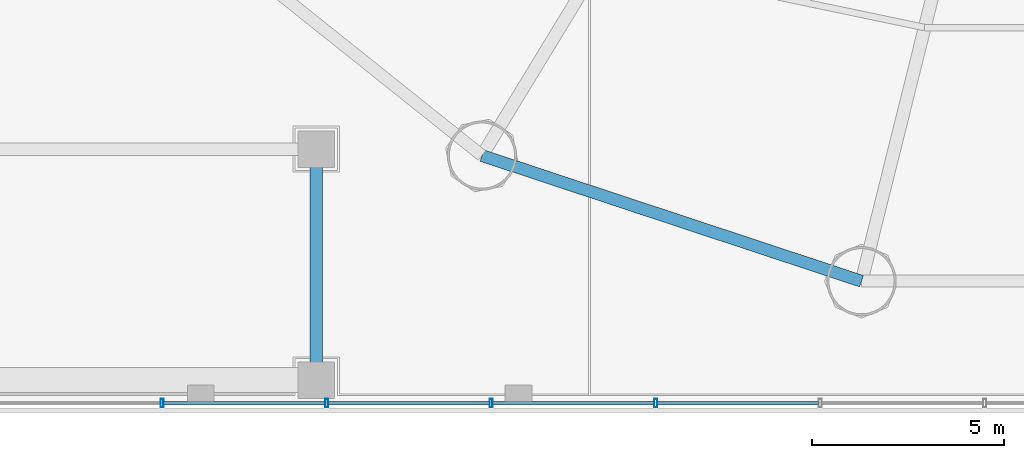
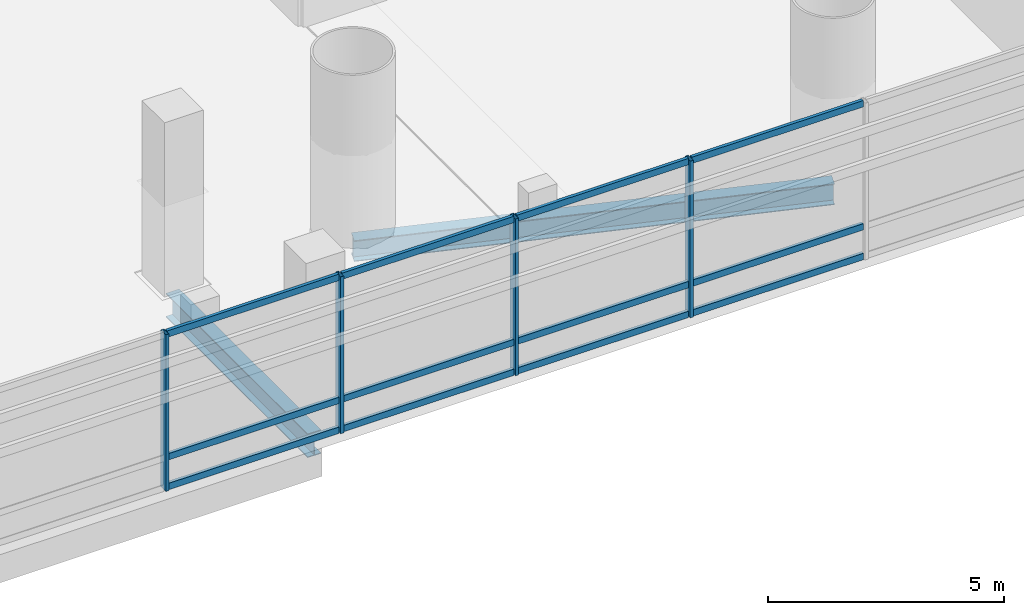
# One storey, part 4 of 36: 16 members, 2 beams, 1 element without a shape of its own.
"""IFC4 building model written with IfcOpenShell, lengths in metres."""

from ifc_helpers import new_model, si_unit, direction, frame, origin, origin_2d, place, context, subcontext, project, spatial, hollow_rectangle, i_section, extrude, source, transform, mapped, material, material_profile, profile_set, type_object, element, aggregate, save


model = new_model("IFC4")

# Units and contexts
model_context = context("Model", 3, precision=1e-05, world=origin(), true_north=direction((-0.2419218956, 0.970295726276)))
body_context = subcontext(model_context, "Body", "Model", "MODEL_VIEW")
ifc_project = project(units=[si_unit("LENGTHUNIT", "METRE"), si_unit("AREAUNIT", "SQUARE_METRE"), si_unit("VOLUMEUNIT", "CUBIC_METRE"), si_unit("PLANEANGLEUNIT", "RADIAN"), si_unit("MASSUNIT", "GRAM", prefix="KILO")], contexts=[model_context])

# Site, building, storey
site_placement = place(None, origin())
site = spatial("IfcSite", under=ifc_project, at=site_placement, CompositionType="ELEMENT")
building_placement = place(site_placement, origin())
building = spatial("IfcBuilding", under=site, at=building_placement, Name="Cobrevalo Terracotta Tower", CompositionType="ELEMENT")
storey_placement = place(building_placement, frame((0.0, 0.0, 14.39990234375)))
storey = spatial("IfcBuildingStorey", under=building, at=storey_placement, Name="L03", CompositionType="ELEMENT", Elevation=14.39990234375)

# Beams
ifc_material_1 = material(Name="Steel S355", Category="steel")
ifc_material_profile_1 = material_profile(ifc_material_1, i_section(OverallWidth=0.324951171875, OverallDepth=0.615966796875, WebThickness=0.013916015625, FlangeThickness=0.021484375, at=origin_2d()), Name="W 610x174")
ifc_profile_set_1 = profile_set([ifc_material_profile_1], Name="Steel S355")
beam_type_1 = type_object("IfcBeamType", Name="Structural Beam W 610x174 (Steel S355)", PredefinedType="BEAM", material=ifc_profile_set_1)
beam_1_placement = place(storey_placement, frame((18.5, 2.800048828125, -0.60791015625), z_axis=(0.0, 1.0, 0.0), x_axis=(-1.0, 0.0, 0.0)))
element("IfcBeam", 1, at=beam_1_placement, inside=storey, type_object=beam_type_1, Name="L03 podium grid beam G3-GA to G3-GB", PredefinedType="BEAM", context=body_context, shape_type="SweptSolid", body=[
    extrude(i_section(OverallWidth=0.324951171875, OverallDepth=0.615966796875, WebThickness=0.013916015625, FlangeThickness=0.021484375, at=origin_2d()), origin(), (0.0, 0.0, 1.0), 6.0),
])
ifc_material_profile_2 = material_profile(ifc_material_1, i_section(OverallWidth=0.31201171875, OverallDepth=0.54296875, WebThickness=0.0126953125, FlangeThickness=0.020263671875, at=origin_2d()), Name="W 530x150")
ifc_profile_set_2 = profile_set([ifc_material_profile_2], Name="Steel S355")
beam_type_2 = type_object("IfcBeamType", Name="Structural Spandrel W 530x150 (Steel S355)", PredefinedType="SPANDREL", material=ifc_profile_set_2)
beam_2_placement = place(storey_placement, frame((22.80517578125, 8.63232421875, -0.5712890625), z_axis=(0.949372202648, -0.314153498848, 0.0), x_axis=(0.314153498848, 0.949372202648, 0.0)))
element("IfcBeam", 2, at=beam_2_placement, inside=storey, type_object=beam_type_2, Name="L03 perimeter ring spandrel 11", PredefinedType="SPANDREL", context=body_context, shape_type="SweptSolid", body=[
    extrude(i_section(OverallWidth=0.31201171875, OverallDepth=0.54296875, WebThickness=0.0126953125, FlangeThickness=0.020263671875, at=origin_2d()), origin(), (0.0, 0.0, 1.0), 10.385009765625),
])

# Curtain wall, members
ifc_material_2 = material(Name="Anodized aluminium", Category="aluminium")
curtain_wall_type = type_object("IfcCurtainWallType", Name="Podium gallery & conservatory curtain wall CW-S2", PredefinedType="NOTDEFINED", material=ifc_material_2)
curtain_wall_placement = place(storey_placement, origin())
curtain_wall = element("IfcCurtainWall", 3, at=curtain_wall_placement, inside=storey, type_object=curtain_wall_type, Name="L03 curtain wall CW-POD-L03-S", PredefinedType="NOTDEFINED")
ifc_material_profile_3 = material_profile(ifc_material_2, hollow_rectangle(XDim=0.080078125, YDim=0.1650390625, WallThickness=0.00439453125, at=origin_2d()), Name="CWT 80x165")
ifc_profile_set_3 = profile_set([ifc_material_profile_3], Name="Anodized aluminium")
member_type_1 = type_object("IfcMemberType", Name="Storefront & atrium aluminium transom 80x165", PredefinedType="USERDEFINED", material=ifc_profile_set_3)
shared_shape_1 = source(origin(), body_context, "Body", "SweptSolid", [
    extrude(hollow_rectangle(XDim=0.080078125, YDim=0.1650390625, WallThickness=0.00439453125, at=origin_2d()), origin(), (0.0, 0.0, 1.0), 4.193359375),
])
member_1_placement = place(storey_placement, frame((14.53662109375, 2.199951171875, 0.050048828125), z_axis=(1.0, 0.0, 0.0), x_axis=(0.0, 1.0, 0.0)))
member_1 = element("IfcMember", 4, at=member_1_placement, type_object=member_type_1, Name="CW-POD-L03-S transom B03-T1", ObjectType="TRANSOM", PredefinedType="USERDEFINED", context=body_context, shape_type="MappedRepresentation", body=[
    mapped(shared_shape_1, transform((0.0, 0.0, 0.0), scale=1.0)),
])
member_2_placement = place(storey_placement, frame((14.53662109375, 2.199951171875, 0.820068359375), z_axis=(1.0, 0.0, 0.0), x_axis=(0.0, 1.0, 0.0)))
member_2 = element("IfcMember", 5, at=member_2_placement, type_object=member_type_1, Name="CW-POD-L03-S transom B03-T2", ObjectType="TRANSOM", PredefinedType="USERDEFINED", context=body_context, shape_type="MappedRepresentation", body=[
    mapped(shared_shape_1, transform((0.0, 0.0, 0.0), scale=1.0)),
])
member_3_placement = place(storey_placement, frame((14.53662109375, 2.199951171875, 4.0), z_axis=(1.0, 0.0, 0.0), x_axis=(0.0, 1.0, 0.0)))
member_3 = element("IfcMember", 6, at=member_3_placement, type_object=member_type_1, Name="CW-POD-L03-S transom B03-T3", ObjectType="TRANSOM", PredefinedType="USERDEFINED", context=body_context, shape_type="MappedRepresentation", body=[
    mapped(shared_shape_1, transform((0.0, 0.0, 0.0), scale=1.0)),
])
member_4_placement = place(storey_placement, frame((18.81005859375, 2.199951171875, 0.050048828125), z_axis=(1.0, 0.0, 0.0), x_axis=(0.0, 1.0, 0.0)))
member_4 = element("IfcMember", 7, at=member_4_placement, type_object=member_type_1, Name="CW-POD-L03-S transom B04-T1", ObjectType="TRANSOM", PredefinedType="USERDEFINED", context=body_context, shape_type="MappedRepresentation", body=[
    mapped(shared_shape_1, transform((0.0, 0.0, 0.0), scale=1.0)),
])
member_5_placement = place(storey_placement, frame((18.81005859375, 2.199951171875, 0.820068359375), z_axis=(1.0, 0.0, 0.0), x_axis=(0.0, 1.0, 0.0)))
member_5 = element("IfcMember", 8, at=member_5_placement, type_object=member_type_1, Name="CW-POD-L03-S transom B04-T2", ObjectType="TRANSOM", PredefinedType="USERDEFINED", context=body_context, shape_type="MappedRepresentation", body=[
    mapped(shared_shape_1, transform((0.0, 0.0, 0.0), scale=1.0)),
])
member_6_placement = place(storey_placement, frame((18.81005859375, 2.199951171875, 4.0), z_axis=(1.0, 0.0, 0.0), x_axis=(0.0, 1.0, 0.0)))
member_6 = element("IfcMember", 9, at=member_6_placement, type_object=member_type_1, Name="CW-POD-L03-S transom B04-T3", ObjectType="TRANSOM", PredefinedType="USERDEFINED", context=body_context, shape_type="MappedRepresentation", body=[
    mapped(shared_shape_1, transform((0.0, 0.0, 0.0), scale=1.0)),
])
member_7_placement = place(storey_placement, frame((23.083251953125, 2.199951171875, 0.050048828125), z_axis=(1.0, 0.0, 0.0), x_axis=(0.0, 1.0, 0.0)))
member_7 = element("IfcMember", 10, at=member_7_placement, type_object=member_type_1, Name="CW-POD-L03-S transom B05-T1", ObjectType="TRANSOM", PredefinedType="USERDEFINED", context=body_context, shape_type="MappedRepresentation", body=[
    mapped(shared_shape_1, transform((0.0, 0.0, 0.0), scale=1.0)),
])
member_8_placement = place(storey_placement, frame((23.083251953125, 2.199951171875, 0.820068359375), z_axis=(1.0, 0.0, 0.0), x_axis=(0.0, 1.0, 0.0)))
member_8 = element("IfcMember", 11, at=member_8_placement, type_object=member_type_1, Name="CW-POD-L03-S transom B05-T2", ObjectType="TRANSOM", PredefinedType="USERDEFINED", context=body_context, shape_type="MappedRepresentation", body=[
    mapped(shared_shape_1, transform((0.0, 0.0, 0.0), scale=1.0)),
])
member_9_placement = place(storey_placement, frame((23.083251953125, 2.199951171875, 4.0), z_axis=(1.0, 0.0, 0.0), x_axis=(0.0, 1.0, 0.0)))
member_9 = element("IfcMember", 12, at=member_9_placement, type_object=member_type_1, Name="CW-POD-L03-S transom B05-T3", ObjectType="TRANSOM", PredefinedType="USERDEFINED", context=body_context, shape_type="MappedRepresentation", body=[
    mapped(shared_shape_1, transform((0.0, 0.0, 0.0), scale=1.0)),
])
member_10_placement = place(storey_placement, frame((27.356689453125, 2.199951171875, 0.050048828125), z_axis=(1.0, 0.0, 0.0), x_axis=(0.0, 1.0, 0.0)))
member_10 = element("IfcMember", 13, at=member_10_placement, type_object=member_type_1, Name="CW-POD-L03-S transom B06-T1", ObjectType="TRANSOM", PredefinedType="USERDEFINED", context=body_context, shape_type="MappedRepresentation", body=[
    mapped(shared_shape_1, transform((0.0, 0.0, 0.0), scale=1.0)),
])
member_11_placement = place(storey_placement, frame((27.356689453125, 2.199951171875, 0.820068359375), z_axis=(1.0, 0.0, 0.0), x_axis=(0.0, 1.0, 0.0)))
member_11 = element("IfcMember", 14, at=member_11_placement, type_object=member_type_1, Name="CW-POD-L03-S transom B06-T2", ObjectType="TRANSOM", PredefinedType="USERDEFINED", context=body_context, shape_type="MappedRepresentation", body=[
    mapped(shared_shape_1, transform((0.0, 0.0, 0.0), scale=1.0)),
])
member_12_placement = place(storey_placement, frame((27.356689453125, 2.199951171875, 4.0), z_axis=(1.0, 0.0, 0.0), x_axis=(0.0, 1.0, 0.0)))
member_12 = element("IfcMember", 15, at=member_12_placement, type_object=member_type_1, Name="CW-POD-L03-S transom B06-T3", ObjectType="TRANSOM", PredefinedType="USERDEFINED", context=body_context, shape_type="MappedRepresentation", body=[
    mapped(shared_shape_1, transform((0.0, 0.0, 0.0), scale=1.0)),
])
ifc_material_profile_4 = material_profile(ifc_material_2, hollow_rectangle(XDim=0.080078125, YDim=0.219970703125, WallThickness=0.0048828125, at=origin_2d()), Name="CWM 80x220")
ifc_profile_set_4 = profile_set([ifc_material_profile_4], Name="Anodized aluminium")
member_type_2 = type_object("IfcMemberType", Name="Storefront & atrium aluminium mullion 80x220", PredefinedType="MULLION", material=ifc_profile_set_4)
shared_shape_2 = source(origin(), body_context, "Body", "SweptSolid", [
    extrude(hollow_rectangle(XDim=0.080078125, YDim=0.219970703125, WallThickness=0.0048828125, at=origin_2d()), origin(), (0.0, 0.0, 1.0), 4.050048828125),
])
member_13_placement = place(storey_placement, frame((14.49658203125, 2.199951171875, 0.0), z_axis=(0.0, 0.0, 1.0), x_axis=(1.0, 0.0, 0.0)))
member_13 = element("IfcMember", 16, at=member_13_placement, type_object=member_type_2, Name="CW-POD-L03-S vertical mullion 03", PredefinedType="MULLION", context=body_context, shape_type="MappedRepresentation", body=[
    mapped(shared_shape_2, transform((0.0, 0.0, 0.0), scale=1.0)),
])
member_14_placement = place(storey_placement, frame((18.77001953125, 2.199951171875, 0.0), z_axis=(0.0, 0.0, 1.0), x_axis=(1.0, 0.0, 0.0)))
member_14 = element("IfcMember", 17, at=member_14_placement, type_object=member_type_2, Name="CW-POD-L03-S vertical mullion 04", PredefinedType="MULLION", context=body_context, shape_type="MappedRepresentation", body=[
    mapped(shared_shape_2, transform((0.0, 0.0, 0.0), scale=1.0)),
])
member_15_placement = place(storey_placement, frame((23.043212890625, 2.199951171875, 0.0), z_axis=(0.0, 0.0, 1.0), x_axis=(1.0, 0.0, 0.0)))
member_15 = element("IfcMember", 18, at=member_15_placement, type_object=member_type_2, Name="CW-POD-L03-S vertical mullion 05", PredefinedType="MULLION", context=body_context, shape_type="MappedRepresentation", body=[
    mapped(shared_shape_2, transform((0.0, 0.0, 0.0), scale=1.0)),
])
member_16_placement = place(storey_placement, frame((27.316650390625, 2.199951171875, 0.0), z_axis=(0.0, 0.0, 1.0), x_axis=(1.0, 0.0, 0.0)))
member_16 = element("IfcMember", 19, at=member_16_placement, type_object=member_type_2, Name="CW-POD-L03-S vertical mullion 06", PredefinedType="MULLION", context=body_context, shape_type="MappedRepresentation", body=[
    mapped(shared_shape_2, transform((0.0, 0.0, 0.0), scale=1.0)),
])
aggregate(curtain_wall, [member_13, member_14, member_15, member_16, member_1, member_2, member_3, member_4, member_5, member_6, member_7, member_8, member_9, member_10, member_11, member_12])

save(model, "model.ifc")
